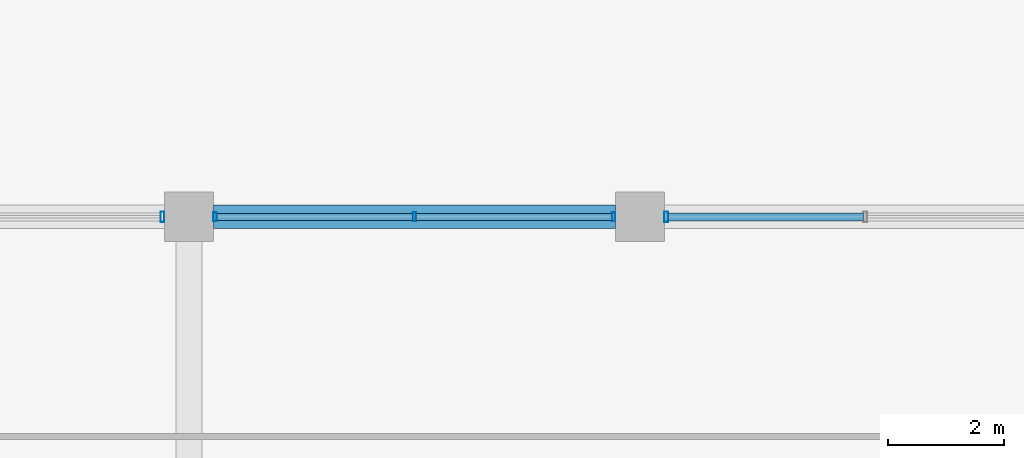
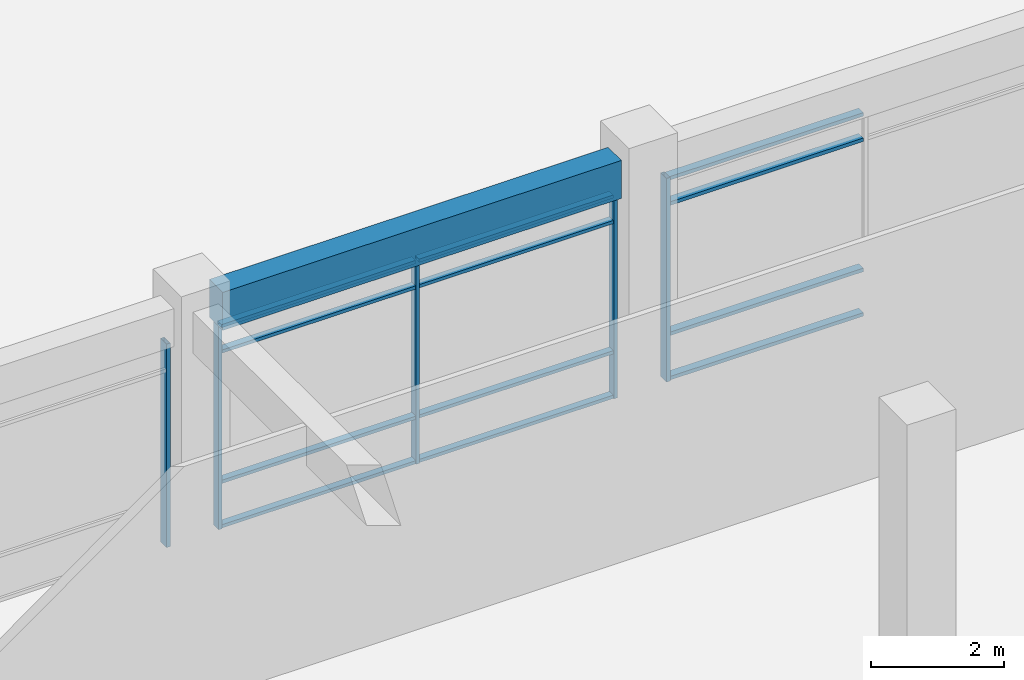
# One storey, part 15 of 74: 17 members, 1 beam, 3 elements without a shape of their own.
"""IFC4 building model written with IfcOpenShell, lengths in metres."""

import ifcopenshell
import ifcopenshell.guid

model = None  # the IFC model being written
_history = None  # IfcOwnerHistory: only IFC2X3 demands one
_inside = {}  # id of a spatial element -> (the spatial element, [elements in it])
_under = {}  # id of a project, library or spatial element -> (it, [spatial elements below it])
_declared = {}  # id of a project -> (the project, [libraries it declares])
_typed = {}  # id of a type object -> (the type object, [elements of that type])
_made_of = {}  # id of a material, layer set ... -> (it, [elements and type objects made of it])


def new_model(schema):
    """Start an empty IFC model of exactly this schema.

    Asked for "IFC4X3", IfcOpenShell would pick the latest addendum, in which some entities
    have other attributes; the version numbers below select the first issue.
    IFC2X3 requires an IfcOwnerHistory on every rooted entity: one is made here for all.
    """
    global model, _history
    if schema == "IFC4X3":
        model = ifcopenshell.file(schema_version=(4, 3, 0, 0))
    else:
        model = ifcopenshell.file(schema=schema)
    _inside.clear()
    _under.clear()
    _declared.clear()
    _typed.clear()
    _made_of.clear()
    _history = None
    if model.schema == "IFC2X3":
        org = make("IfcOrganization", Name="unknown")
        user = make(
            "IfcPersonAndOrganization",
            ThePerson=make("IfcPerson", FamilyName="unknown"),
            TheOrganization=org,
        )
        app = make(
            "IfcApplication",
            ApplicationDeveloper=org,
            Version="unknown",
            ApplicationFullName="unknown",
            ApplicationIdentifier="unknown",
        )
        _history = make(
            "IfcOwnerHistory",
            OwningUser=user,
            OwningApplication=app,
            ChangeAction="ADDED",
            CreationDate=0,
        )
    return model


def make(cls, **values):
    """One entity of the class cls with the attributes given. An attribute that is None is left unset."""
    return model.create_entity(
        cls, **{name: value for name, value in values.items() if value is not None}
    )


def rooted(cls, **values):
    """An entity with a GlobalId (a new one), such as an element, a storey or a relation."""
    return make(cls, GlobalId=ifcopenshell.guid.new(), OwnerHistory=_history, **values)


def si_unit(unit_type, name, prefix=None):
    """IfcSIUnit, for example si_unit("LENGTHUNIT", "METRE", prefix="MILLI")."""
    return make("IfcSIUnit", UnitType=unit_type, Prefix=prefix, Name=name)


def assignment(units):
    """IfcUnitAssignment: the units of a project."""
    return None if units is None else make("IfcUnitAssignment", Units=units)


def point(xyz):
    """IfcCartesianPoint."""
    return None if xyz is None else make("IfcCartesianPoint", Coordinates=xyz)


def direction(xyz):
    """IfcDirection."""
    return None if xyz is None else make("IfcDirection", DirectionRatios=xyz)


def frame(location, z_axis=None, x_axis=None):
    """IfcAxis2Placement3D, a coordinate frame: its origin and axes. An axis left out is left unset."""
    return make(
        "IfcAxis2Placement3D",
        Location=point(location),
        Axis=direction(z_axis),
        RefDirection=direction(x_axis),
    )


def frame_2d(location, x_axis=None):
    """IfcAxis2Placement2D, a coordinate frame in the plane: its origin and x axis."""
    return make(
        "IfcAxis2Placement2D", Location=point(location), RefDirection=direction(x_axis)
    )


def origin():
    """The frame at (0, 0, 0) with its axes left unset."""
    return frame((0.0, 0.0, 0.0))


def origin_2d():
    """The frame at (0, 0) in the plane with its x axis left unset."""
    return frame_2d((0.0, 0.0))


def place(relative_to, where):
    """IfcLocalPlacement: puts the frame where relative to a parent placement (None: the world)."""
    return make(
        "IfcLocalPlacement", PlacementRelTo=relative_to, RelativePlacement=where
    )


def context(
    kind, dimensions, precision=None, world=None, true_north=None, identifier=None
):
    """IfcGeometricRepresentationContext, for example the 3D "Model" context."""
    return make(
        "IfcGeometricRepresentationContext",
        ContextIdentifier=identifier,
        ContextType=kind,
        CoordinateSpaceDimension=dimensions,
        Precision=precision,
        WorldCoordinateSystem=world,
        TrueNorth=true_north,
    )


def subcontext(parent, identifier, kind, view, scale=None):
    """IfcGeometricRepresentationSubContext, for example "Body" below "Model"."""
    return make(
        "IfcGeometricRepresentationSubContext",
        ContextIdentifier=identifier,
        ContextType=kind,
        ParentContext=parent,
        TargetScale=scale,
        TargetView=view,
    )


def project(units=None, contexts=None):
    """IfcProject with its units and contexts."""
    return rooted(
        "IfcProject",
        Name="project",
        RepresentationContexts=contexts,
        UnitsInContext=assignment(units),
    )


def spatial(cls, under=None, at=None, **own):
    """A site, building, storey or space (cls), placed at a placement, below another one or the project."""
    s = rooted(cls, ObjectPlacement=at, **own)
    if under is not None:
        _under.setdefault(under.id(), (under, []))[1].append(s)
    return s


def profile(cls, at=None, kind="AREA", **sizes):
    """A parametric profile (cls). Its sizes go by their IFC names, for example OverallWidth=200.0."""
    return make(cls, ProfileType=kind, Position=at, **sizes)


def rectangle(**sizes):
    """IfcRectangleProfileDef."""
    return profile("IfcRectangleProfileDef", **sizes)


def hollow_rectangle(**sizes):
    """IfcRectangleHollowProfileDef."""
    return profile("IfcRectangleHollowProfileDef", **sizes)


def extrude(swept, where, along, depth):
    """IfcExtrudedAreaSolid: the profile swept, set in the frame where, extruded along a direction by depth."""
    return make(
        "IfcExtrudedAreaSolid",
        SweptArea=swept,
        Position=where,
        ExtrudedDirection=direction(along),
        Depth=depth,
    )


def shape(context_of_items, identifier, shape_type, items):
    """IfcShapeRepresentation: the items that make up one representation, for example the "Body"."""
    return make(
        "IfcShapeRepresentation",
        ContextOfItems=context_of_items,
        RepresentationIdentifier=identifier,
        RepresentationType=shape_type,
        Items=items,
    )


def material(Name=None, Category=None):
    """IfcMaterial."""
    return make("IfcMaterial", Name=Name, Category=Category)


def material_profile(
    of_material, cross_section, Name=None, Category=None, Priority=None
):
    """IfcMaterialProfile: a cross section and its material."""
    return make(
        "IfcMaterialProfile",
        Name=Name,
        Material=of_material,
        Profile=cross_section,
        Priority=Priority,
        Category=Category,
    )


def profile_set(profiles, Name=None, composite=None):
    """IfcMaterialProfileSet."""
    return make(
        "IfcMaterialProfileSet",
        Name=Name,
        MaterialProfiles=profiles,
        CompositeProfile=composite,
    )


def made_of(thing, what):
    """Note that an element or type object is made of a material, layer set ...; save() writes the relation."""
    if what is not None:
        _made_of.setdefault(what.id(), (what, []))[1].append(thing)
    return thing


def type_object(cls, material=None, **own):
    """A type object (cls), such as IfcWallType, which elements share."""
    return made_of(rooted(cls, **own), material)


def element(
    cls,
    number,
    at=None,
    inside=None,
    cuts=None,
    type_object=None,
    material=None,
    context=None,
    identifier="Body",
    shape_type=None,
    held_by="IfcProductDefinitionShape",
    body=None,
    shapes=None,
    **own,
):
    """One element of the class cls, such as IfcWall. Its Tag is "e" and its number.

    at: its placement. inside: the storey or other place that contains it. cuts: it is an
    opening in that element (IfcRelVoidsElement). A single representation is given by context,
    identifier, shape_type and body (its items); several are given by shapes. held_by: the class
    of the entity that holds the representations. save() writes the other relations.
    """
    e = rooted(cls, Tag="e%d" % number, ObjectPlacement=at, **own)
    if body is not None:
        shapes = [shape(context, identifier, shape_type, body)]
    if shapes is not None:
        e.Representation = make(held_by, Representations=shapes)
    if inside is not None:
        _inside.setdefault(inside.id(), (inside, []))[1].append(e)
    if cuts is not None:
        rooted(
            "IfcRelVoidsElement", RelatingBuildingElement=cuts, RelatedOpeningElement=e
        )
    if type_object is not None:
        _typed.setdefault(type_object.id(), (type_object, []))[1].append(e)
    return made_of(e, material)


def aggregate(whole, parts):
    """IfcRelAggregates: a whole, such as a stair, and the parts it consists of."""
    return rooted("IfcRelAggregates", RelatingObject=whole, RelatedObjects=parts)


def save(model, path):
    """Write the relations noted so far, then the file.

    IfcRelAggregates (storeys below a building ...), IfcRelContainedInSpatialStructure (elements
    in a storey), IfcRelDefinesByType, IfcRelAssociatesMaterial and IfcRelDeclares: one each for
    every whole, place, type object, material and project.
    """
    for whole, parts in _under.values():
        aggregate(whole, parts)
    for where, things in _inside.values():
        rooted(
            "IfcRelContainedInSpatialStructure",
            RelatedElements=things,
            RelatingStructure=where,
        )
    for kind, things in _typed.values():
        rooted("IfcRelDefinesByType", RelatedObjects=things, RelatingType=kind)
    for what, things in _made_of.values():
        rooted("IfcRelAssociatesMaterial", RelatedObjects=things, RelatingMaterial=what)
    for by, libraries in _declared.values():
        rooted("IfcRelDeclares", RelatingContext=by, RelatedDefinitions=libraries)
    model.write(path)


model = new_model("IFC4")

# Units and contexts
model_context = context("Model", 3, precision=1e-05, world=origin(), true_north=direction((0.0, 1.0)))
body_context = subcontext(model_context, "Body", "Model", "MODEL_VIEW")
ifc_project = project(units=[si_unit("LENGTHUNIT", "METRE"), si_unit("AREAUNIT", "SQUARE_METRE"), si_unit("VOLUMEUNIT", "CUBIC_METRE"), si_unit("PLANEANGLEUNIT", "RADIAN"), si_unit("MASSUNIT", "GRAM", prefix="KILO"), si_unit("THERMODYNAMICTEMPERATUREUNIT", "KELVIN"), si_unit("POWERUNIT", "WATT")], contexts=[model_context])

# Site, building, storey
site_placement = place(None, origin())
site = spatial("IfcSite", under=ifc_project, at=site_placement, CompositionType="ELEMENT")
building_placement = place(site_placement, origin())
building = spatial("IfcBuilding", under=site, at=building_placement, Name="Srebrne Nadtorze General Hospital", CompositionType="ELEMENT")
storey_placement = place(building_placement, origin())
storey = spatial("IfcBuildingStorey", under=building, at=storey_placement, Name="L00", CompositionType="ELEMENT", Elevation=0.0)

# Curtain wall, members
ifc_material_1 = material(Name="Anodised Aluminium", Category="aluminium")
curtain_wall_type = type_object("IfcCurtainWallType", Name="Unitised curtain wall 6950x3750", PredefinedType="NOTDEFINED", material=ifc_material_1)
curtain_wall_1_placement = place(storey_placement, origin())
curtain_wall_1 = element("IfcCurtainWall", 1, at=curtain_wall_1_placement, inside=storey, type_object=curtain_wall_type, Name="Curtain wall CW-008", PredefinedType="NOTDEFINED")
ifc_material_2 = material(Name="Anodised Aluminium", Category="aluminium")
ifc_material_profile_1 = material_profile(ifc_material_2, hollow_rectangle(XDim=0.06005859375, YDim=0.14990234375, WallThickness=0.00390625, at=origin_2d()), Name="AL-MUL-60x150")
ifc_profile_set_1 = profile_set([ifc_material_profile_1], Name="Anodised Aluminium")
member_type_1 = type_object("IfcMemberType", Name="Curtain mullion 60x150", PredefinedType="MULLION", material=ifc_profile_set_1)
member_1_placement = place(storey_placement, frame((78.455078125, 25.199951171875, 0.0), z_axis=(0.0, 0.0, 1.0), x_axis=(1.0, 0.0, 0.0)))
member_1 = element("IfcMember", 2, at=member_1_placement, type_object=member_type_1, Name="CW-008 mullion 1", PredefinedType="MULLION", context=body_context, shape_type="SweptSolid", body=[
    extrude(hollow_rectangle(XDim=0.06005859375, YDim=0.14990234375, WallThickness=0.00390625, at=origin_2d()), origin(), (0.0, 0.0, 1.0), 3.75),
])
member_2_placement = place(storey_placement, frame((81.89990234375, 25.199951171875, 0.0), z_axis=(0.0, 0.0, 1.0), x_axis=(1.0, 0.0, 0.0)))
member_2 = element("IfcMember", 3, at=member_2_placement, type_object=member_type_1, Name="CW-008 mullion 2", PredefinedType="MULLION", context=body_context, shape_type="SweptSolid", body=[
    extrude(hollow_rectangle(XDim=0.06005859375, YDim=0.14990234375, WallThickness=0.00390625, at=origin_2d()), origin(), (0.0, 0.0, 1.0), 3.75),
])
member_3_placement = place(storey_placement, frame((85.344970703125, 25.199951171875, 0.0), z_axis=(0.0, 0.0, 1.0), x_axis=(1.0, 0.0, 0.0)))
member_3 = element("IfcMember", 4, at=member_3_placement, type_object=member_type_1, Name="CW-008 mullion 3", PredefinedType="MULLION", context=body_context, shape_type="SweptSolid", body=[
    extrude(hollow_rectangle(XDim=0.06005859375, YDim=0.14990234375, WallThickness=0.00390625, at=origin_2d()), origin(), (0.0, 0.0, 1.0), 3.75),
])

# Curtain wall, member
curtain_wall_2_placement = place(storey_placement, origin())
curtain_wall_2 = element("IfcCurtainWall", 5, at=curtain_wall_2_placement, inside=storey, type_object=curtain_wall_type, Name="Curtain wall CW-007", PredefinedType="NOTDEFINED")
ifc_material_3 = material(Name="Anodised Aluminium", Category="aluminium")
ifc_material_profile_2 = material_profile(ifc_material_3, hollow_rectangle(XDim=0.06494140625, YDim=0.179931640625, WallThickness=0.00390625, at=origin_2d()), Name="AL-MUL-65x180")
ifc_profile_set_2 = profile_set([ifc_material_profile_2], Name="Anodised Aluminium")
member_type_2 = type_object("IfcMemberType", Name="Curtain mullion 65x180", PredefinedType="MULLION", material=ifc_profile_set_2)
member_4_placement = place(storey_placement, frame((77.54248046875, 25.199951171875, 0.0), z_axis=(0.0, 0.0, 1.0), x_axis=(1.0, 0.0, 0.0)))
member_4 = element("IfcMember", 6, at=member_4_placement, type_object=member_type_2, Name="CW-007 mullion 3", PredefinedType="MULLION", context=body_context, shape_type="SweptSolid", body=[
    extrude(hollow_rectangle(XDim=0.06494140625, YDim=0.179931640625, WallThickness=0.00390625, at=origin_2d()), origin(), (0.0, 0.0, 1.0), 3.75),
])
aggregate(curtain_wall_2, [member_4])

curtain_wall_3_placement = place(storey_placement, origin())
curtain_wall_3 = element("IfcCurtainWall", 7, at=curtain_wall_3_placement, inside=storey, type_object=curtain_wall_type, Name="Curtain wall CW-009", PredefinedType="NOTDEFINED")
member_5_placement = place(storey_placement, frame((86.257568359375, 25.199951171875, 0.0), z_axis=(0.0, 0.0, 1.0), x_axis=(1.0, 0.0, 0.0)))
member_5 = element("IfcMember", 8, at=member_5_placement, type_object=member_type_2, Name="CW-009 mullion 1", PredefinedType="MULLION", context=body_context, shape_type="SweptSolid", body=[
    extrude(hollow_rectangle(XDim=0.06494140625, YDim=0.179931640625, WallThickness=0.00390625, at=origin_2d()), origin(), (0.0, 0.0, 1.0), 3.75),
])

# Member
ifc_material_4 = material(Name="Anodised Aluminium", Category="aluminium")
ifc_material_profile_3 = material_profile(ifc_material_4, hollow_rectangle(XDim=0.06005859375, YDim=0.1201171875, WallThickness=0.00390625, at=origin_2d()), Name="AL-TRN-60x120")
ifc_profile_set_3 = profile_set([ifc_material_profile_3], Name="Anodised Aluminium")
member_type_3 = type_object("IfcMemberType", Name="Curtain transom 60x120", PredefinedType="USERDEFINED", material=ifc_profile_set_3)
member_6_placement = place(storey_placement, frame((78.485107421875, 25.199951171875, 0.030029296875), z_axis=(1.0, 0.0, 0.0), x_axis=(0.0, 0.0, 1.0)))
member_6 = element("IfcMember", 9, at=member_6_placement, type_object=member_type_3, Name="CW-008 transom 1.1", ObjectType="TRANSOM", PredefinedType="USERDEFINED", context=body_context, shape_type="SweptSolid", body=[
    extrude(hollow_rectangle(XDim=0.06005859375, YDim=0.1201171875, WallThickness=0.00390625, at=origin_2d()), origin(), (0.0, 0.0, 1.0), 3.385009765625),
])

member_7_placement = place(storey_placement, frame((78.485107421875, 25.199951171875, 0.85009765625), z_axis=(1.0, 0.0, 0.0), x_axis=(0.0, 0.0, 1.0)))
member_7 = element("IfcMember", 10, at=member_7_placement, type_object=member_type_3, Name="CW-008 transom 1.2", ObjectType="TRANSOM", PredefinedType="USERDEFINED", context=body_context, shape_type="SweptSolid", body=[
    extrude(hollow_rectangle(XDim=0.06005859375, YDim=0.1201171875, WallThickness=0.00390625, at=origin_2d()), origin(), (0.0, 0.0, 1.0), 3.385009765625),
])

member_8_placement = place(storey_placement, frame((78.485107421875, 25.199951171875, 3.25), z_axis=(1.0, 0.0, 0.0), x_axis=(0.0, 0.0, 1.0)))
member_8 = element("IfcMember", 11, at=member_8_placement, type_object=member_type_3, Name="CW-008 transom 1.3", ObjectType="TRANSOM", PredefinedType="USERDEFINED", context=body_context, shape_type="SweptSolid", body=[
    extrude(hollow_rectangle(XDim=0.06005859375, YDim=0.1201171875, WallThickness=0.00390625, at=origin_2d()), origin(), (0.0, 0.0, 1.0), 3.385009765625),
])

member_9_placement = place(storey_placement, frame((78.485107421875, 25.199951171875, 3.719970703125), z_axis=(1.0, 0.0, 0.0), x_axis=(0.0, 0.0, 1.0)))
member_9 = element("IfcMember", 12, at=member_9_placement, type_object=member_type_3, Name="CW-008 transom 1.4", ObjectType="TRANSOM", PredefinedType="USERDEFINED", context=body_context, shape_type="SweptSolid", body=[
    extrude(hollow_rectangle(XDim=0.06005859375, YDim=0.1201171875, WallThickness=0.00390625, at=origin_2d()), origin(), (0.0, 0.0, 1.0), 3.385009765625),
])

member_10_placement = place(storey_placement, frame((81.929931640625, 25.199951171875, 0.030029296875), z_axis=(1.0, 0.0, 0.0), x_axis=(0.0, 0.0, 1.0)))
member_10 = element("IfcMember", 13, at=member_10_placement, type_object=member_type_3, Name="CW-008 transom 2.1", ObjectType="TRANSOM", PredefinedType="USERDEFINED", context=body_context, shape_type="SweptSolid", body=[
    extrude(hollow_rectangle(XDim=0.06005859375, YDim=0.1201171875, WallThickness=0.00390625, at=origin_2d()), origin(), (0.0, 0.0, 1.0), 3.385009765625),
])

member_11_placement = place(storey_placement, frame((81.929931640625, 25.199951171875, 0.85009765625), z_axis=(1.0, 0.0, 0.0), x_axis=(0.0, 0.0, 1.0)))
member_11 = element("IfcMember", 14, at=member_11_placement, type_object=member_type_3, Name="CW-008 transom 2.2", ObjectType="TRANSOM", PredefinedType="USERDEFINED", context=body_context, shape_type="SweptSolid", body=[
    extrude(hollow_rectangle(XDim=0.06005859375, YDim=0.1201171875, WallThickness=0.00390625, at=origin_2d()), origin(), (0.0, 0.0, 1.0), 3.385009765625),
])

member_12_placement = place(storey_placement, frame((81.929931640625, 25.199951171875, 3.25), z_axis=(1.0, 0.0, 0.0), x_axis=(0.0, 0.0, 1.0)))
member_12 = element("IfcMember", 15, at=member_12_placement, type_object=member_type_3, Name="CW-008 transom 2.3", ObjectType="TRANSOM", PredefinedType="USERDEFINED", context=body_context, shape_type="SweptSolid", body=[
    extrude(hollow_rectangle(XDim=0.06005859375, YDim=0.1201171875, WallThickness=0.00390625, at=origin_2d()), origin(), (0.0, 0.0, 1.0), 3.385009765625),
])

member_13_placement = place(storey_placement, frame((81.929931640625, 25.199951171875, 3.719970703125), z_axis=(1.0, 0.0, 0.0), x_axis=(0.0, 0.0, 1.0)))
member_13 = element("IfcMember", 16, at=member_13_placement, type_object=member_type_3, Name="CW-008 transom 2.4", ObjectType="TRANSOM", PredefinedType="USERDEFINED", context=body_context, shape_type="SweptSolid", body=[
    extrude(hollow_rectangle(XDim=0.06005859375, YDim=0.1201171875, WallThickness=0.00390625, at=origin_2d()), origin(), (0.0, 0.0, 1.0), 3.385009765625),
])

aggregate(curtain_wall_1, [member_1, member_2, member_3, member_6, member_7, member_8, member_9, member_10, member_11, member_12, member_13])

ifc_material_5 = material(Name="Anodised Aluminium", Category="aluminium")
ifc_material_profile_4 = material_profile(ifc_material_5, hollow_rectangle(XDim=0.06494140625, YDim=0.139892578125, WallThickness=0.00390625, at=origin_2d()), Name="AL-TRN-65x140")
ifc_profile_set_4 = profile_set([ifc_material_profile_4], Name="Anodised Aluminium")
member_type_4 = type_object("IfcMemberType", Name="Curtain transom 65x140", PredefinedType="USERDEFINED", material=ifc_profile_set_4)
member_14_placement = place(storey_placement, frame((86.2900390625, 25.199951171875, 0.032470703125), z_axis=(1.0, 0.0, 0.0), x_axis=(0.0, 0.0, 1.0)))
member_14 = element("IfcMember", 17, at=member_14_placement, type_object=member_type_4, Name="CW-009 transom 1.1", ObjectType="TRANSOM", PredefinedType="USERDEFINED", context=body_context, shape_type="SweptSolid", body=[
    extrude(hollow_rectangle(XDim=0.06494140625, YDim=0.139892578125, WallThickness=0.00390625, at=origin_2d()), origin(), (0.0, 0.0, 1.0), 3.37744140625),
])

member_15_placement = place(storey_placement, frame((86.2900390625, 25.199951171875, 0.85009765625), z_axis=(1.0, 0.0, 0.0), x_axis=(0.0, 0.0, 1.0)))
member_15 = element("IfcMember", 18, at=member_15_placement, type_object=member_type_4, Name="CW-009 transom 1.2", ObjectType="TRANSOM", PredefinedType="USERDEFINED", context=body_context, shape_type="SweptSolid", body=[
    extrude(hollow_rectangle(XDim=0.06494140625, YDim=0.139892578125, WallThickness=0.00390625, at=origin_2d()), origin(), (0.0, 0.0, 1.0), 3.37744140625),
])

member_16_placement = place(storey_placement, frame((86.2900390625, 25.199951171875, 3.25), z_axis=(1.0, 0.0, 0.0), x_axis=(0.0, 0.0, 1.0)))
member_16 = element("IfcMember", 19, at=member_16_placement, type_object=member_type_4, Name="CW-009 transom 1.3", ObjectType="TRANSOM", PredefinedType="USERDEFINED", context=body_context, shape_type="SweptSolid", body=[
    extrude(hollow_rectangle(XDim=0.06494140625, YDim=0.139892578125, WallThickness=0.00390625, at=origin_2d()), origin(), (0.0, 0.0, 1.0), 3.37744140625),
])

member_17_placement = place(storey_placement, frame((86.2900390625, 25.199951171875, 3.717529296875), z_axis=(1.0, 0.0, 0.0), x_axis=(0.0, 0.0, 1.0)))
member_17 = element("IfcMember", 20, at=member_17_placement, type_object=member_type_4, Name="CW-009 transom 1.4", ObjectType="TRANSOM", PredefinedType="USERDEFINED", context=body_context, shape_type="SweptSolid", body=[
    extrude(hollow_rectangle(XDim=0.06494140625, YDim=0.139892578125, WallThickness=0.00390625, at=origin_2d()), origin(), (0.0, 0.0, 1.0), 3.37744140625),
])

aggregate(curtain_wall_3, [member_5, member_14, member_15, member_16, member_17])

# Beam
ifc_material_6 = material(Name="Concrete C40/50", Category="concrete")
ifc_material_profile_5 = material_profile(ifc_material_6, rectangle(XDim=0.39990234375, YDim=0.699951171875, at=origin_2d()), Name="RC-BM-400x700")
ifc_profile_set_5 = profile_set([ifc_material_profile_5], Name="Concrete C40/50")
beam_type = type_object("IfcBeamType", Name="Edge beam RC 400x700", PredefinedType="BEAM", material=ifc_profile_set_5)
beam_placement = place(storey_placement, frame((78.425048828125, 25.199951171875, 4.10009765625), z_axis=(1.0, 0.0, 0.0), x_axis=(0.0, 1.0, 0.0)))
element("IfcBeam", 21, at=beam_placement, inside=storey, type_object=beam_type, Name="Beam BM-L00-X-0206", PredefinedType="BEAM", context=body_context, shape_type="SweptSolid", body=[
    extrude(rectangle(XDim=0.39990234375, YDim=0.699951171875, at=origin_2d()), origin(), (0.0, 0.0, 1.0), 6.949951171875),
])

save(model, "model.ifc")
